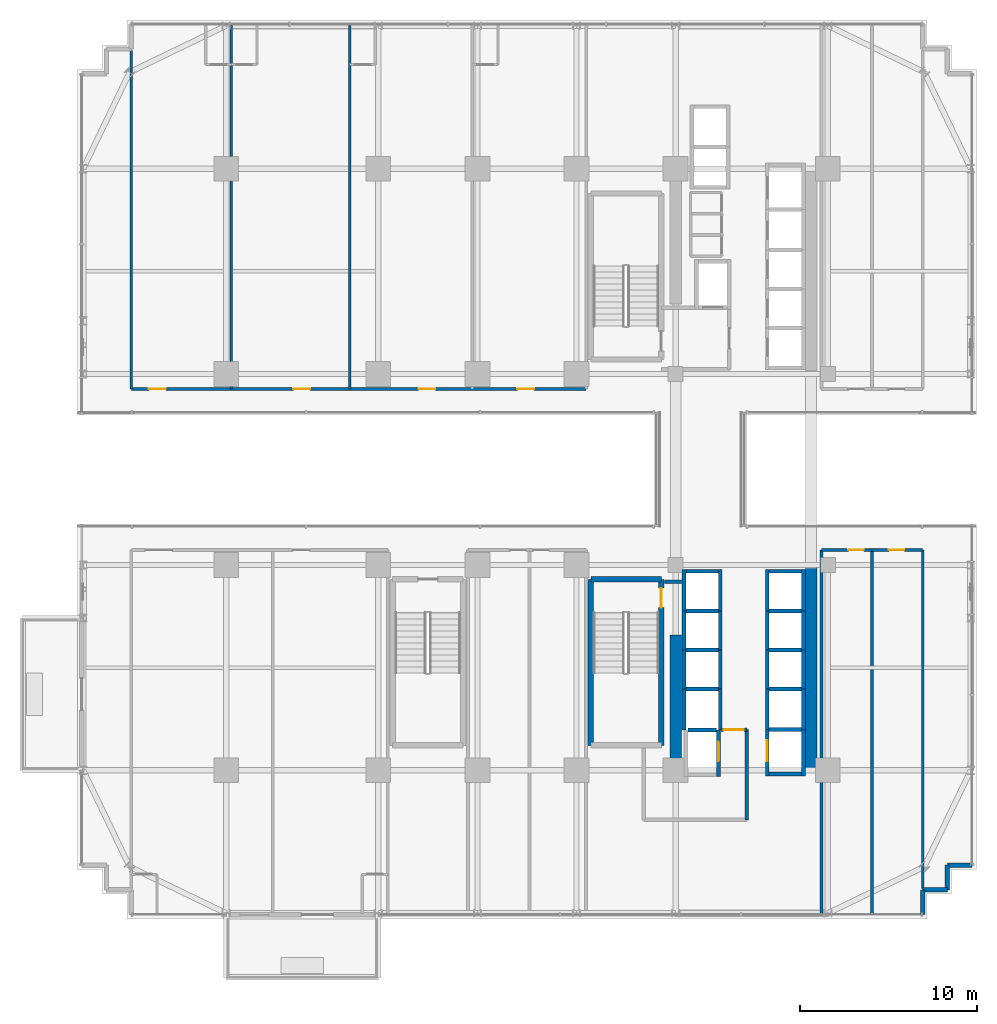
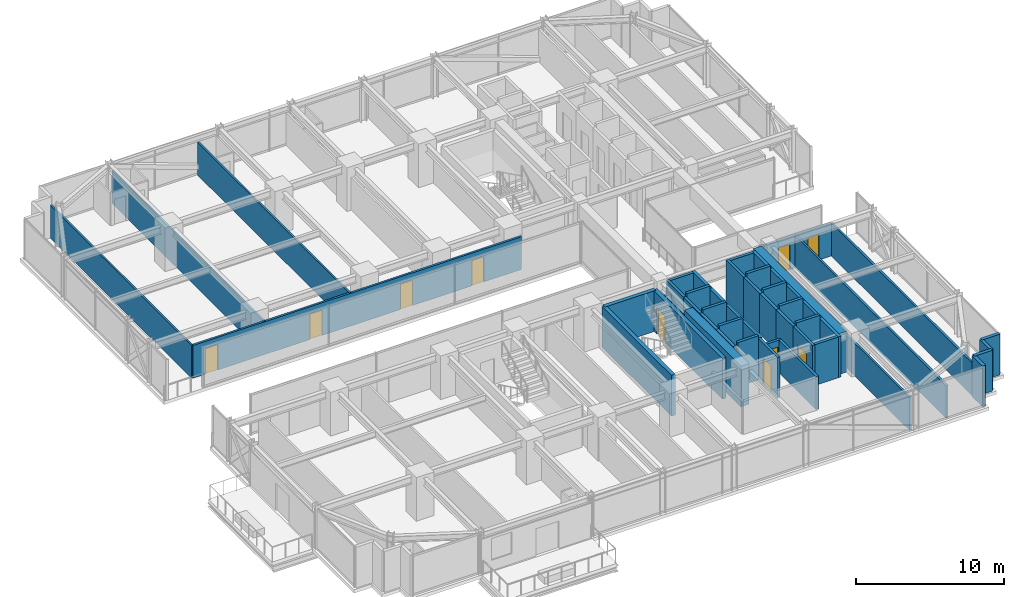
# One storey, part 32 of 37: 51 walls, 10 doors, 10 openings.
"""IFC4 building model written with IfcOpenShell, lengths in metres."""

import ifcopenshell
import ifcopenshell.guid

model = None  # the IFC model being written
_history = None  # IfcOwnerHistory: only IFC2X3 demands one
_inside = {}  # id of a spatial element -> (the spatial element, [elements in it])
_under = {}  # id of a project, library or spatial element -> (it, [spatial elements below it])
_declared = {}  # id of a project -> (the project, [libraries it declares])
_typed = {}  # id of a type object -> (the type object, [elements of that type])
_made_of = {}  # id of a material, layer set ... -> (it, [elements and type objects made of it])


def new_model(schema):
    """Start an empty IFC model of exactly this schema.

    Asked for "IFC4X3", IfcOpenShell would pick the latest addendum, in which some entities
    have other attributes; the version numbers below select the first issue.
    IFC2X3 requires an IfcOwnerHistory on every rooted entity: one is made here for all.
    """
    global model, _history
    if schema == "IFC4X3":
        model = ifcopenshell.file(schema_version=(4, 3, 0, 0))
    else:
        model = ifcopenshell.file(schema=schema)
    _inside.clear()
    _under.clear()
    _declared.clear()
    _typed.clear()
    _made_of.clear()
    _history = None
    if model.schema == "IFC2X3":
        org = make("IfcOrganization", Name="unknown")
        user = make(
            "IfcPersonAndOrganization",
            ThePerson=make("IfcPerson", FamilyName="unknown"),
            TheOrganization=org,
        )
        app = make(
            "IfcApplication",
            ApplicationDeveloper=org,
            Version="unknown",
            ApplicationFullName="unknown",
            ApplicationIdentifier="unknown",
        )
        _history = make(
            "IfcOwnerHistory",
            OwningUser=user,
            OwningApplication=app,
            ChangeAction="ADDED",
            CreationDate=0,
        )
    return model


def make(cls, **values):
    """One entity of the class cls with the attributes given. An attribute that is None is left unset."""
    return model.create_entity(
        cls, **{name: value for name, value in values.items() if value is not None}
    )


def rooted(cls, **values):
    """An entity with a GlobalId (a new one), such as an element, a storey or a relation."""
    return make(cls, GlobalId=ifcopenshell.guid.new(), OwnerHistory=_history, **values)


def si_unit(unit_type, name, prefix=None):
    """IfcSIUnit, for example si_unit("LENGTHUNIT", "METRE", prefix="MILLI")."""
    return make("IfcSIUnit", UnitType=unit_type, Prefix=prefix, Name=name)


def assignment(units):
    """IfcUnitAssignment: the units of a project."""
    return None if units is None else make("IfcUnitAssignment", Units=units)


def point(xyz):
    """IfcCartesianPoint."""
    return None if xyz is None else make("IfcCartesianPoint", Coordinates=xyz)


def direction(xyz):
    """IfcDirection."""
    return None if xyz is None else make("IfcDirection", DirectionRatios=xyz)


def frame(location, z_axis=None, x_axis=None):
    """IfcAxis2Placement3D, a coordinate frame: its origin and axes. An axis left out is left unset."""
    return make(
        "IfcAxis2Placement3D",
        Location=point(location),
        Axis=direction(z_axis),
        RefDirection=direction(x_axis),
    )


def frame_2d(location, x_axis=None):
    """IfcAxis2Placement2D, a coordinate frame in the plane: its origin and x axis."""
    return make(
        "IfcAxis2Placement2D", Location=point(location), RefDirection=direction(x_axis)
    )


def origin():
    """The frame at (0, 0, 0) with its axes left unset."""
    return frame((0.0, 0.0, 0.0))


def place(relative_to, where):
    """IfcLocalPlacement: puts the frame where relative to a parent placement (None: the world)."""
    return make(
        "IfcLocalPlacement", PlacementRelTo=relative_to, RelativePlacement=where
    )


def context(
    kind, dimensions, precision=None, world=None, true_north=None, identifier=None
):
    """IfcGeometricRepresentationContext, for example the 3D "Model" context."""
    return make(
        "IfcGeometricRepresentationContext",
        ContextIdentifier=identifier,
        ContextType=kind,
        CoordinateSpaceDimension=dimensions,
        Precision=precision,
        WorldCoordinateSystem=world,
        TrueNorth=true_north,
    )


def subcontext(parent, identifier, kind, view, scale=None):
    """IfcGeometricRepresentationSubContext, for example "Body" below "Model"."""
    return make(
        "IfcGeometricRepresentationSubContext",
        ContextIdentifier=identifier,
        ContextType=kind,
        ParentContext=parent,
        TargetScale=scale,
        TargetView=view,
    )


def project(units=None, contexts=None):
    """IfcProject with its units and contexts."""
    return rooted(
        "IfcProject",
        Name="project",
        RepresentationContexts=contexts,
        UnitsInContext=assignment(units),
    )


def spatial(cls, under=None, at=None, **own):
    """A site, building, storey or space (cls), placed at a placement, below another one or the project."""
    s = rooted(cls, ObjectPlacement=at, **own)
    if under is not None:
        _under.setdefault(under.id(), (under, []))[1].append(s)
    return s


def profile(cls, at=None, kind="AREA", **sizes):
    """A parametric profile (cls). Its sizes go by their IFC names, for example OverallWidth=200.0."""
    return make(cls, ProfileType=kind, Position=at, **sizes)


def rectangle(**sizes):
    """IfcRectangleProfileDef."""
    return profile("IfcRectangleProfileDef", **sizes)


def extrude(swept, where, along, depth):
    """IfcExtrudedAreaSolid: the profile swept, set in the frame where, extruded along a direction by depth."""
    return make(
        "IfcExtrudedAreaSolid",
        SweptArea=swept,
        Position=where,
        ExtrudedDirection=direction(along),
        Depth=depth,
    )


def shape(context_of_items, identifier, shape_type, items):
    """IfcShapeRepresentation: the items that make up one representation, for example the "Body"."""
    return make(
        "IfcShapeRepresentation",
        ContextOfItems=context_of_items,
        RepresentationIdentifier=identifier,
        RepresentationType=shape_type,
        Items=items,
    )


def source(mapping_origin, context_of_items, identifier, shape_type, items):
    """IfcRepresentationMap: a shape defined once, which mapped items show again and again."""
    return make(
        "IfcRepresentationMap",
        MappingOrigin=mapping_origin,
        MappedRepresentation=shape(context_of_items, identifier, shape_type, items),
    )


def transform(
    local_origin,
    x_axis=None,
    y_axis=None,
    z_axis=None,
    scale=None,
    scale2=None,
    scale3=None,
    uniform=True,
):
    """IfcCartesianTransformationOperator3D, or its non-uniform kind. x_axis, y_axis, z_axis: its Axis1, 2, 3."""
    if uniform:
        return make(
            "IfcCartesianTransformationOperator3D",
            Axis1=direction(x_axis),
            Axis2=direction(y_axis),
            LocalOrigin=point(local_origin),
            Scale=scale,
            Axis3=direction(z_axis),
        )
    return make(
        "IfcCartesianTransformationOperator3DnonUniform",
        Axis1=direction(x_axis),
        Axis2=direction(y_axis),
        LocalOrigin=point(local_origin),
        Scale=scale,
        Axis3=direction(z_axis),
        Scale2=scale2,
        Scale3=scale3,
    )


def mapped(mapping_source, mapping_target):
    """IfcMappedItem: shows the shape of a source again, moved by a transform."""
    return make(
        "IfcMappedItem", MappingSource=mapping_source, MappingTarget=mapping_target
    )


def material(Name=None, Category=None):
    """IfcMaterial."""
    return make("IfcMaterial", Name=Name, Category=Category)


def layer(
    of_material, thickness, ventilated=None, Name=None, Category=None, Priority=None
):
    """IfcMaterialLayer: one layer of a wall or slab, of a material (None: an air gap)."""
    return make(
        "IfcMaterialLayer",
        Material=of_material,
        LayerThickness=thickness,
        IsVentilated=ventilated,
        Name=Name,
        Category=Category,
        Priority=Priority,
    )


def layer_set(layers, Name=None):
    """IfcMaterialLayerSet."""
    return make("IfcMaterialLayerSet", MaterialLayers=layers, LayerSetName=Name)


def made_of(thing, what):
    """Note that an element or type object is made of a material, layer set ...; save() writes the relation."""
    if what is not None:
        _made_of.setdefault(what.id(), (what, []))[1].append(thing)
    return thing


def type_object(cls, material=None, **own):
    """A type object (cls), such as IfcWallType, which elements share."""
    return made_of(rooted(cls, **own), material)


def element(
    cls,
    number,
    at=None,
    inside=None,
    cuts=None,
    type_object=None,
    material=None,
    context=None,
    identifier="Body",
    shape_type=None,
    held_by="IfcProductDefinitionShape",
    body=None,
    shapes=None,
    **own,
):
    """One element of the class cls, such as IfcWall. Its Tag is "e" and its number.

    at: its placement. inside: the storey or other place that contains it. cuts: it is an
    opening in that element (IfcRelVoidsElement). A single representation is given by context,
    identifier, shape_type and body (its items); several are given by shapes. held_by: the class
    of the entity that holds the representations. save() writes the other relations.
    """
    e = rooted(cls, Tag="e%d" % number, ObjectPlacement=at, **own)
    if body is not None:
        shapes = [shape(context, identifier, shape_type, body)]
    if shapes is not None:
        e.Representation = make(held_by, Representations=shapes)
    if inside is not None:
        _inside.setdefault(inside.id(), (inside, []))[1].append(e)
    if cuts is not None:
        rooted(
            "IfcRelVoidsElement", RelatingBuildingElement=cuts, RelatedOpeningElement=e
        )
    if type_object is not None:
        _typed.setdefault(type_object.id(), (type_object, []))[1].append(e)
    return made_of(e, material)


def fill(opening, filler):
    """IfcRelFillsElement: the door or window that sits in an opening."""
    return rooted(
        "IfcRelFillsElement",
        RelatingOpeningElement=opening,
        RelatedBuildingElement=filler,
    )


def aggregate(whole, parts):
    """IfcRelAggregates: a whole, such as a stair, and the parts it consists of."""
    return rooted("IfcRelAggregates", RelatingObject=whole, RelatedObjects=parts)


def save(model, path):
    """Write the relations noted so far, then the file.

    IfcRelAggregates (storeys below a building ...), IfcRelContainedInSpatialStructure (elements
    in a storey), IfcRelDefinesByType, IfcRelAssociatesMaterial and IfcRelDeclares: one each for
    every whole, place, type object, material and project.
    """
    for whole, parts in _under.values():
        aggregate(whole, parts)
    for where, things in _inside.values():
        rooted(
            "IfcRelContainedInSpatialStructure",
            RelatedElements=things,
            RelatingStructure=where,
        )
    for kind, things in _typed.values():
        rooted("IfcRelDefinesByType", RelatedObjects=things, RelatingType=kind)
    for what, things in _made_of.values():
        rooted("IfcRelAssociatesMaterial", RelatedObjects=things, RelatingMaterial=what)
    for by, libraries in _declared.values():
        rooted("IfcRelDeclares", RelatingContext=by, RelatedDefinitions=libraries)
    model.write(path)


model = new_model("IFC4")

# Units and contexts
model_context = context("Model", 3, precision=1e-05, world=origin(), true_north=direction((0.0, 1.0)))
body_context = subcontext(model_context, "Body", "Model", "MODEL_VIEW")
ifc_project = project(units=[si_unit("LENGTHUNIT", "METRE"), si_unit("AREAUNIT", "SQUARE_METRE"), si_unit("VOLUMEUNIT", "CUBIC_METRE"), si_unit("PLANEANGLEUNIT", "RADIAN"), si_unit("MASSUNIT", "GRAM", prefix="KILO")], contexts=[model_context])

# Site, building, storey
site_placement = place(None, origin())
site = spatial("IfcSite", under=ifc_project, at=site_placement, CompositionType="ELEMENT")
building_placement = place(site_placement, origin())
building = spatial("IfcBuilding", under=site, at=building_placement, Name="Nahalor Promenade Grand Hotel", CompositionType="ELEMENT")
storey_placement = place(building_placement, frame((0.0, 0.0, 65.25)))
storey = spatial("IfcBuildingStorey", under=building, at=storey_placement, Name="L15", CompositionType="ELEMENT", Elevation=65.25)

# Walls
ifc_material_1 = material(Name="Concrete B-60 (C50/60)", Category="concrete")
ifc_layer_1 = layer(ifc_material_1, 0.64990234375)
ifc_layer_set_1 = layer_set([ifc_layer_1], Name="Concrete B-60 (C50/60)")
wall_type_1 = type_object("IfcWallType", Name="Wall-CoreShear-650", PredefinedType="SHEAR", material=ifc_layer_set_1)
shared_shape_1 = source(origin(), body_context, "Body", "SweptSolid", [
    extrude(rectangle(XDim=7.64990234375, YDim=0.64990234375, at=frame_2d((3.824951171875, 0.0))), origin(), (0.0, 0.0, 1.0), 3.3701171875),
])
wall_1_placement = place(storey_placement, frame((8.39990234375, -17.0, 0.0), z_axis=(0.0, 0.0, 1.0), x_axis=(0.0, 1.0, 0.0)))
element("IfcWall", 1, at=wall_1_placement, inside=storey, type_object=wall_type_1, Name="CWALL-L15-SW", PredefinedType="SHEAR", context=body_context, shape_type="MappedRepresentation", body=[
    mapped(shared_shape_1, transform((0.0, 0.0, 0.0), scale=1.0)),
])
shared_shape_2 = source(origin(), body_context, "Body", "SweptSolid", [
    extrude(rectangle(XDim=11.60009765625, YDim=0.64990234375, at=frame_2d((5.800048828125, 0.0))), origin(), (0.0, 0.0, 1.0), 3.3701171875),
])
wall_2_placement = place(storey_placement, frame((16.050048828125, -17.0, 0.0), z_axis=(0.0, 0.0, 1.0), x_axis=(0.0, 1.0, 0.0)))
element("IfcWall", 2, at=wall_2_placement, inside=storey, type_object=wall_type_1, Name="CWALL-L15-SE", PredefinedType="SHEAR", context=body_context, shape_type="MappedRepresentation", body=[
    mapped(shared_shape_2, transform((0.0, 0.0, 0.0), scale=1.0)),
])
ifc_material_2 = material(Name="Concrete B-50 (C40/50)", Category="concrete")
ifc_layer_2 = layer(ifc_material_2, 0.300048828125)
ifc_layer_set_2 = layer_set([ifc_layer_2], Name="Concrete B-50 (C40/50)")
wall_type_2 = type_object("IfcWallType", Name="Wall-ShaftShear-300", PredefinedType="SHEAR", material=ifc_layer_set_2)
shared_shape_3 = source(origin(), body_context, "Body", "SweptSolid", [
    extrude(rectangle(XDim=3.97998046875, YDim=0.300048828125, at=frame_2d((1.989990234375, 0.0))), origin(), (0.0, 0.0, 1.0), 3.3701171875),
])
wall_3_placement = place(storey_placement, frame((3.610107421875, -6.2099609375, 0.0), z_axis=(0.0, 0.0, 1.0), x_axis=(1.0, 0.0, 0.0)))
element("IfcWall", 3, at=wall_3_placement, inside=storey, type_object=wall_type_2, Name="L15 Exit Stair ST2 Shaft Wall N", PredefinedType="SHEAR", context=body_context, shape_type="MappedRepresentation", body=[
    mapped(shared_shape_3, transform((0.0, 0.0, 0.0), scale=1.0)),
])
shared_shape_4 = source(origin(), body_context, "Body", "SweptSolid", [
    extrude(rectangle(XDim=9.380126953125, YDim=0.300048828125, at=frame_2d((4.68994140625, 0.0))), origin(), (0.0, 0.0, 1.0), 3.3701171875),
])
wall_4_placement = place(storey_placement, frame((3.610107421875, -15.590087890625, 0.0), z_axis=(0.0, 0.0, 1.0), x_axis=(0.0, 1.0, 0.0)))
element("IfcWall", 4, at=wall_4_placement, inside=storey, type_object=wall_type_2, Name="L15 Exit Stair ST2 Shaft Wall W", PredefinedType="SHEAR", context=body_context, shape_type="MappedRepresentation", body=[
    mapped(shared_shape_4, transform((0.0, 0.0, 0.0), scale=1.0)),
])

# Wall, opening, door
wall_5_placement = place(storey_placement, frame((7.590087890625, -15.590087890625, 0.0), z_axis=(0.0, 0.0, 1.0), x_axis=(0.0, 1.0, 0.0)))
wall_5 = element("IfcWall", 5, at=wall_5_placement, inside=storey, type_object=wall_type_2, Name="L15 Exit Stair ST2 Shaft Wall E", PredefinedType="SHEAR", context=body_context, shape_type="MappedRepresentation", body=[
    mapped(shared_shape_4, transform((0.0, 0.0, 0.0), scale=1.0)),
])
opening_1_placement = place(wall_5_placement, frame((7.7900390625, 0.0, 0.0)))
opening_1 = element("IfcOpeningElement", 6, at=opening_1_placement, cuts=wall_5, Name="Opening D-ST1", PredefinedType="OPENING", context=body_context, shape_type="SweptSolid", body=[
    extrude(rectangle(XDim=1.10009765625, YDim=2.14990234375, at=frame_2d((0.550048828125, 1.074951171875))), frame((0.0, 0.159912109375, 0.0), z_axis=(0.0, -1.0, 0.0), x_axis=(1.0, 0.0, 0.0)), (0.0, 0.0, 1.0), 0.320068359375),
])
ifc_material_3 = material(Name="Steel S355JR", Category="steel")
door_type_1 = type_object("IfcDoorType", Name="Door-StairFire-1100", OperationType="NOTDEFINED", PredefinedType="DOOR", material=ifc_material_3)
shared_shape_5 = source(origin(), body_context, "Body", "SweptSolid", [
    extrude(rectangle(XDim=1.10009765625, YDim=2.14990234375, at=frame_2d((0.550048828125, 1.074951171875))), frame((0.0, 0.02490234375, 0.0), z_axis=(0.0, -1.0, 0.0), x_axis=(1.0, 0.0, 0.0)), (0.0, 0.0, 1.0), 0.050048828125),
])
door_1_placement = place(opening_1_placement, origin())
door_1 = element("IfcDoor", 7, at=door_1_placement, inside=storey, type_object=door_type_1, Name="DR-STAIR-ST2-L15", OperationType="SINGLE_SWING_RIGHT", OverallHeight=2.14990234375, OverallWidth=1.10009765625, PredefinedType="DOOR", context=body_context, shape_type="MappedRepresentation", body=[
    mapped(shared_shape_5, transform((0.0, 0.0, 0.0), scale=1.0)),
])
fill(opening_1, door_1)

# Walls
ifc_layer_3 = layer(ifc_material_2, 0.219970703125)
ifc_layer_set_3 = layer_set([ifc_layer_3], Name="Concrete B-50 (C40/50)")
wall_type_3 = type_object("IfcWallType", Name="Wall-LiftShaft-220", PredefinedType="SHEAR", material=ifc_layer_set_3)
shared_shape_6 = source(origin(), body_context, "Body", "SweptSolid", [
    extrude(rectangle(XDim=2.360107421875, YDim=0.219970703125, at=frame_2d((1.18017578125, 0.0))), origin(), (0.0, 0.0, 1.0), 3.3701171875),
])
for number, where, z_axis, x_axis, name in (
    (8, (13.580078125, -8.0, 0.0), (0.0, 0.0, 1.0), (0.0, 1.0, 0.0), "L15 Lift PL5 Hoistway Wall W"),
    (9, (15.6201171875, -8.0, 0.0), (0.0, 0.0, 1.0), (0.0, 1.0, 0.0), "L15 Lift PL5 Hoistway Wall E"),
    (10, (8.8798828125, -8.0, 0.0), (0.0, 0.0, 1.0), (0.0, 1.0, 0.0), "L15 Lift PL9 Hoistway Wall W"),
    (11, (10.919921875, -8.0, 0.0), (0.0, 0.0, 1.0), (0.0, 1.0, 0.0), "L15 Lift PL9 Hoistway Wall E"),
):
    element("IfcWall", number, at=place(storey_placement, frame(where, z_axis=z_axis, x_axis=x_axis)), inside=storey, type_object=wall_type_3, Name=name, PredefinedType="SHEAR", context=body_context, shape_type="MappedRepresentation", body=[
        mapped(shared_shape_6, transform((0.0, 0.0, 0.0), scale=1.0)),
    ])
shared_shape_7 = source(origin(), body_context, "Body", "SweptSolid", [
    extrude(rectangle(XDim=1.820068359375, YDim=0.219970703125, at=frame_2d((0.91015625, 0.0))), origin(), (0.0, 0.0, 1.0), 3.3701171875),
])
for number, where, z_axis, x_axis, name in (
    (12, (13.68994140625, -5.75, 0.0), (0.0, 0.0, 1.0), (1.0, 0.0, 0.0), "L15 Lift PL5 Hoistway Wall N"),
    (13, (8.989990234375, -5.75, 0.0), (0.0, 0.0, 1.0), (1.0, 0.0, 0.0), "L15 Lift PL9 Hoistway Wall N"),
    (14, (13.68994140625, -17.199951171875, 0.0), (0.0, 0.0, 1.0), (1.0, 0.0, 0.0), "L15 Lift SV2 Hoistway Wall S"),
):
    element("IfcWall", number, at=place(storey_placement, frame(where, z_axis=z_axis, x_axis=x_axis)), inside=storey, type_object=wall_type_3, Name=name, PredefinedType="SHEAR", context=body_context, shape_type="MappedRepresentation", body=[
        mapped(shared_shape_7, transform((0.0, 0.0, 0.0), scale=1.0)),
    ])
shared_shape_8 = source(origin(), body_context, "Body", "SweptSolid", [
    extrude(rectangle(XDim=1.820068359375, YDim=0.219970703125, at=frame_2d((0.91015625, 0.0))), origin(), (0.0, 0.0, 1.0), 3.64990234375),
])
for number, where, z_axis, x_axis, name in (
    (15, (13.68994140625, -8.0, 0.0), (0.0, 0.0, 1.0), (1.0, 0.0, 0.0), "L15 Lift PL6 Hoistway Wall N"),
    (16, (13.68994140625, -10.199951171875, 0.0), (0.0, 0.0, 1.0), (1.0, 0.0, 0.0), "L15 Lift PL7 Hoistway Wall N"),
    (17, (13.68994140625, -12.39990234375, 0.0), (0.0, 0.0, 1.0), (1.0, 0.0, 0.0), "L15 Lift PL8 Hoistway Wall N"),
    (18, (8.989990234375, -8.0, 0.0), (0.0, 0.0, 1.0), (1.0, 0.0, 0.0), "L15 Lift PL10 Hoistway Wall N"),
    (19, (8.989990234375, -10.199951171875, 0.0), (0.0, 0.0, 1.0), (1.0, 0.0, 0.0), "L15 Lift PL11 Hoistway Wall N"),
    (20, (8.989990234375, -12.39990234375, 0.0), (0.0, 0.0, 1.0), (1.0, 0.0, 0.0), "L15 Lift PL12 Hoistway Wall N"),
    (21, (13.68994140625, -14.699951171875, 0.0), (0.0, 0.0, 1.0), (1.0, 0.0, 0.0), "L15 Lift SV2 Hoistway Wall N"),
):
    element("IfcWall", number, at=place(storey_placement, frame(where, z_axis=z_axis, x_axis=x_axis)), inside=storey, type_object=wall_type_3, Name=name, PredefinedType="SHEAR", context=body_context, shape_type="MappedRepresentation", body=[
        mapped(shared_shape_8, transform((0.0, 0.0, 0.0), scale=1.0)),
    ])
shared_shape_9 = source(origin(), body_context, "Body", "SweptSolid", [
    extrude(rectangle(XDim=2.199951171875, YDim=0.219970703125, at=frame_2d((1.10009765625, 0.0))), origin(), (0.0, 0.0, 1.0), 3.3701171875),
])
for number, where, z_axis, x_axis, name in (
    (22, (13.580078125, -10.199951171875, 0.0), (0.0, 0.0, 1.0), (0.0, 1.0, 0.0), "L15 Lift PL6 Hoistway Wall W"),
    (23, (15.6201171875, -10.199951171875, 0.0), (0.0, 0.0, 1.0), (0.0, 1.0, 0.0), "L15 Lift PL6 Hoistway Wall E"),
    (24, (13.580078125, -12.39990234375, 0.0), (0.0, 0.0, 1.0), (0.0, 1.0, 0.0), "L15 Lift PL7 Hoistway Wall W"),
    (25, (15.6201171875, -12.39990234375, 0.0), (0.0, 0.0, 1.0), (0.0, 1.0, 0.0), "L15 Lift PL7 Hoistway Wall E"),
    (26, (8.8798828125, -10.199951171875, 0.0), (0.0, 0.0, 1.0), (0.0, 1.0, 0.0), "L15 Lift PL10 Hoistway Wall W"),
    (27, (10.919921875, -10.199951171875, 0.0), (0.0, 0.0, 1.0), (0.0, 1.0, 0.0), "L15 Lift PL10 Hoistway Wall E"),
    (28, (8.8798828125, -12.39990234375, 0.0), (0.0, 0.0, 1.0), (0.0, 1.0, 0.0), "L15 Lift PL11 Hoistway Wall W"),
    (29, (10.919921875, -12.39990234375, 0.0), (0.0, 0.0, 1.0), (0.0, 1.0, 0.0), "L15 Lift PL11 Hoistway Wall E"),
):
    element("IfcWall", number, at=place(storey_placement, frame(where, z_axis=z_axis, x_axis=x_axis)), inside=storey, type_object=wall_type_3, Name=name, PredefinedType="SHEAR", context=body_context, shape_type="MappedRepresentation", body=[
        mapped(shared_shape_9, transform((0.0, 0.0, 0.0), scale=1.0)),
    ])
shared_shape_10 = source(origin(), body_context, "Body", "SweptSolid", [
    extrude(rectangle(XDim=2.300048828125, YDim=0.219970703125, at=frame_2d((1.14990234375, 0.0))), origin(), (0.0, 0.0, 1.0), 3.3701171875),
])
for number, where, z_axis, x_axis, name in (
    (30, (13.580078125, -14.699951171875, 0.0), (0.0, 0.0, 1.0), (0.0, 1.0, 0.0), "L15 Lift PL8 Hoistway Wall W"),
    (31, (15.6201171875, -14.699951171875, 0.0), (0.0, 0.0, 1.0), (0.0, 1.0, 0.0), "L15 Lift PL8 Hoistway Wall E"),
):
    element("IfcWall", number, at=place(storey_placement, frame(where, z_axis=z_axis, x_axis=x_axis)), inside=storey, type_object=wall_type_3, Name=name, PredefinedType="SHEAR", context=body_context, shape_type="MappedRepresentation", body=[
        mapped(shared_shape_10, transform((0.0, 0.0, 0.0), scale=1.0)),
    ])
shared_shape_11 = source(origin(), body_context, "Body", "SweptSolid", [
    extrude(rectangle(XDim=2.3251953125, YDim=0.219970703125, at=frame_2d((1.16259765625, 0.0))), origin(), (0.0, 0.0, 1.0), 3.3701171875),
])
for number, where, z_axis, x_axis, name in (
    (32, (8.8798828125, -14.72509765625, 0.0), (0.0, 0.0, 1.0), (0.0, 1.0, 0.0), "L15 Lift PL12 Hoistway Wall W"),
    (33, (10.919921875, -14.72509765625, 0.0), (0.0, 0.0, 1.0), (0.0, 1.0, 0.0), "L15 Lift PL12 Hoistway Wall E"),
):
    element("IfcWall", number, at=place(storey_placement, frame(where, z_axis=z_axis, x_axis=x_axis)), inside=storey, type_object=wall_type_3, Name=name, PredefinedType="SHEAR", context=body_context, shape_type="MappedRepresentation", body=[
        mapped(shared_shape_11, transform((0.0, 0.0, 0.0), scale=1.0)),
    ])

# Wall, opening, door
shared_shape_12 = source(origin(), body_context, "Body", "SweptSolid", [
    extrude(rectangle(XDim=2.635009765625, YDim=0.219970703125, at=frame_2d((1.3173828125, 0.0))), origin(), (0.0, 0.0, 1.0), 3.3701171875),
])
wall_6_placement = place(storey_placement, frame((10.820068359375, -17.360107421875, 0.0), z_axis=(0.0, 0.0, 1.0), x_axis=(0.0, 1.0, 0.0)))
wall_6 = element("IfcWall", 34, at=wall_6_placement, inside=storey, type_object=wall_type_3, Name="L15 Lift FL2 Hoistway Wall E", PredefinedType="SHEAR", context=body_context, shape_type="MappedRepresentation", body=[
    mapped(shared_shape_12, transform((0.0, 0.0, 0.0), scale=1.0)),
])
opening_2_placement = place(wall_6_placement, frame((0.860107421875, 0.0, 0.0)))
opening_2 = element("IfcOpeningElement", 35, at=opening_2_placement, cuts=wall_6, Name="Opening LD-02", PredefinedType="OPENING", context=body_context, shape_type="SweptSolid", body=[
    extrude(rectangle(XDim=1.10009765625, YDim=2.199951171875, at=frame_2d((0.550048828125, 1.10009765625))), frame((0.0, 0.119873046875, 0.0), z_axis=(0.0, -1.0, 0.0), x_axis=(1.0, 0.0, 0.0)), (0.0, 0.0, 1.0), 0.239990234375),
])
door_type_2 = type_object("IfcDoorType", Name="Door-LiftFF-1100", OperationType="DOUBLE_DOOR_SLIDING", PredefinedType="DOOR", material=ifc_material_3)
shared_shape_13 = source(origin(), body_context, "Body", "SweptSolid", [
    extrude(rectangle(XDim=1.10009765625, YDim=2.199951171875, at=frame_2d((0.550048828125, 1.10009765625))), frame((0.0, 0.02490234375, 0.0), z_axis=(0.0, -1.0, 0.0), x_axis=(1.0, 0.0, 0.0)), (0.0, 0.0, 1.0), 0.050048828125),
])
door_2_placement = place(opening_2_placement, frame((1.10009765625, 0.0, 0.0), z_axis=(0.0, 0.0, 1.0), x_axis=(-1.0, 0.0, 0.0)))
door_2 = element("IfcDoor", 36, at=door_2_placement, inside=storey, type_object=door_type_2, Name="DR-LIFT-FL2-L15", OperationType="DOUBLE_DOOR_SLIDING", OverallHeight=2.199951171875, OverallWidth=1.10009765625, PredefinedType="DOOR", context=body_context, shape_type="MappedRepresentation", body=[
    mapped(shared_shape_13, transform((0.0, 0.0, 0.0), scale=1.0)),
])
fill(opening_2, door_2)

# Wall
shared_shape_14 = source(origin(), body_context, "Body", "SweptSolid", [
    extrude(rectangle(XDim=1.619873046875, YDim=0.219970703125, at=frame_2d((0.81005859375, 0.0))), origin(), (0.0, 0.0, 1.0), 3.64990234375),
])
wall_7_placement = place(storey_placement, frame((9.090087890625, -14.72509765625, 0.0), z_axis=(0.0, 0.0, 1.0), x_axis=(1.0, 0.0, 0.0)))
element("IfcWall", 37, at=wall_7_placement, inside=storey, type_object=wall_type_3, Name="L15 Lift FL2 Hoistway Wall N", PredefinedType="SHEAR", context=body_context, shape_type="MappedRepresentation", body=[
    mapped(shared_shape_14, transform((0.0, 0.0, 0.0), scale=1.0)),
])

# Wall, opening, door
shared_shape_15 = source(origin(), body_context, "Body", "SweptSolid", [
    extrude(rectangle(XDim=2.610107421875, YDim=0.219970703125, at=frame_2d((1.30517578125, 0.0))), origin(), (0.0, 0.0, 1.0), 3.3701171875),
])
wall_8_placement = place(storey_placement, frame((13.580078125, -17.31005859375, 0.0), z_axis=(0.0, 0.0, 1.0), x_axis=(0.0, 1.0, 0.0)))
wall_8 = element("IfcWall", 38, at=wall_8_placement, inside=storey, type_object=wall_type_3, Name="L15 Lift SV2 Hoistway Wall W", PredefinedType="SHEAR", context=body_context, shape_type="MappedRepresentation", body=[
    mapped(shared_shape_15, transform((0.0, 0.0, 0.0), scale=1.0)),
])
opening_3_placement = place(wall_8_placement, frame((0.81005859375, 0.0, 0.0)))
opening_3 = element("IfcOpeningElement", 39, at=opening_3_placement, cuts=wall_8, Name="Opening LD-03", PredefinedType="OPENING", context=body_context, shape_type="SweptSolid", body=[
    extrude(rectangle(XDim=1.199951171875, YDim=2.199951171875, at=frame_2d((0.60009765625, 1.10009765625))), frame((0.0, 0.119873046875, 0.0), z_axis=(0.0, -1.0, 0.0), x_axis=(1.0, 0.0, 0.0)), (0.0, 0.0, 1.0), 0.239990234375),
])
door_type_3 = type_object("IfcDoorType", Name="Door-LiftService-1200", OperationType="DOUBLE_DOOR_SLIDING", PredefinedType="DOOR", material=ifc_material_3)
shared_shape_16 = source(origin(), body_context, "Body", "SweptSolid", [
    extrude(rectangle(XDim=1.199951171875, YDim=2.199951171875, at=frame_2d((0.60009765625, 1.10009765625))), frame((0.0, 0.02490234375, 0.0), z_axis=(0.0, -1.0, 0.0), x_axis=(1.0, 0.0, 0.0)), (0.0, 0.0, 1.0), 0.050048828125),
])
door_3_placement = place(opening_3_placement, origin())
door_3 = element("IfcDoor", 40, at=door_3_placement, inside=storey, type_object=door_type_3, Name="DR-LIFT-SV2-L15", OperationType="DOUBLE_DOOR_SLIDING", OverallHeight=2.199951171875, OverallWidth=1.199951171875, PredefinedType="DOOR", context=body_context, shape_type="MappedRepresentation", body=[
    mapped(shared_shape_16, transform((0.0, 0.0, 0.0), scale=1.0)),
])
fill(opening_3, door_3)

# Walls
wall_9_placement = place(storey_placement, frame((15.6201171875, -17.31005859375, 0.0), z_axis=(0.0, 0.0, 1.0), x_axis=(0.0, 1.0, 0.0)))
element("IfcWall", 41, at=wall_9_placement, inside=storey, type_object=wall_type_3, Name="L15 Lift SV2 Hoistway Wall E", PredefinedType="SHEAR", context=body_context, shape_type="MappedRepresentation", body=[
    mapped(shared_shape_15, transform((0.0, 0.0, 0.0), scale=1.0)),
])
ifc_material_4 = material(Name="Concrete B-40 (C32/40)", Category="concrete")
ifc_layer_4 = layer(ifc_material_4, 0.25)
ifc_layer_set_4 = layer_set([ifc_layer_4], Name="Concrete B-40 (C32/40)")
wall_type_4 = type_object("IfcWallType", Name="Wall-BronzePier-250", PredefinedType="STANDARD", material=ifc_layer_set_4)
shared_shape_17 = source(origin(), body_context, "Body", "SweptSolid", [
    extrude(rectangle(XDim=1.39990234375, YDim=0.25, at=frame_2d((0.699951171875, 0.0))), origin(), (0.0, 0.0, 1.0), 3.3701171875),
])
for number, where, z_axis, x_axis, name in (
    (42, (22.360107421875, -25.159912109375, 0.0), (0.0, 0.0, 1.0), (0.0, 1.0, 0.0), "W-L15-SR-01"),
    (43, (22.360107421875, -23.760009765625, 0.0), (0.0, 0.0, 1.0), (1.0, 0.0, 0.0), "W-L15-SR-02"),
    (44, (23.760009765625, -23.760009765625, 0.0), (0.0, 0.0, 1.0), (0.0, 1.0, 0.0), "W-L15-SR-03"),
    (45, (23.760009765625, -22.360107421875, 0.0), (0.0, 0.0, 1.0), (1.0, 0.0, 0.0), "W-L15-SR-04"),
):
    element("IfcWall", number, at=place(storey_placement, frame(where, z_axis=z_axis, x_axis=x_axis)), inside=storey, type_object=wall_type_4, Name=name, PredefinedType="STANDARD", context=body_context, shape_type="MappedRepresentation", body=[
        mapped(shared_shape_17, transform((0.0, 0.0, 0.0), scale=1.0)),
    ])
ifc_layer_5 = layer(ifc_material_4, 0.199951171875)
ifc_layer_set_5 = layer_set([ifc_layer_5], Name="Concrete B-40 (C32/40)")
wall_type_5 = type_object("IfcWallType", Name="Wall-PartFire-200", PredefinedType="PARTITIONING", material=ifc_layer_set_5)
shared_shape_18 = source(origin(), body_context, "Body", "SweptSolid", [
    extrude(rectangle(XDim=5.10009765625, YDim=0.199951171875, at=frame_2d((2.550048828125, 0.0))), origin(), (0.0, 0.0, 1.0), 2.7099609375),
])
wall_10_placement = place(storey_placement, frame((12.419921875, -19.800048828125, 0.0), z_axis=(0.0, 0.0, 1.0), x_axis=(0.0, 1.0, 0.0)))
element("IfcWall", 46, at=wall_10_placement, inside=storey, type_object=wall_type_5, Name="W-L15-FF2-E", PredefinedType="PARTITIONING", context=body_context, shape_type="MappedRepresentation", body=[
    mapped(shared_shape_18, transform((0.0, 0.0, 0.0), scale=1.0)),
])

# Wall, opening, door
shared_shape_19 = source(origin(), body_context, "Body", "SweptSolid", [
    extrude(rectangle(XDim=1.4599609375, YDim=0.199951171875, at=frame_2d((0.72998046875, 0.0))), origin(), (0.0, 0.0, 1.0), 2.7099609375),
])
wall_11_placement = place(storey_placement, frame((10.9599609375, -14.699951171875, 0.0), z_axis=(0.0, 0.0, 1.0), x_axis=(1.0, 0.0, 0.0)))
wall_11 = element("IfcWall", 47, at=wall_11_placement, inside=storey, type_object=wall_type_5, Name="W-L15-FF2-N1", PredefinedType="PARTITIONING", context=body_context, shape_type="MappedRepresentation", body=[
    mapped(shared_shape_19, transform((0.0, 0.0, 0.0), scale=1.0)),
])
opening_4_placement = place(wall_11_placement, frame((0.14501953125, 0.0, 0.0)))
opening_4 = element("IfcOpeningElement", 48, at=opening_4_placement, cuts=wall_11, Name="Opening D-FF1", PredefinedType="OPENING", context=body_context, shape_type="SweptSolid", body=[
    extrude(rectangle(XDim=1.14990234375, YDim=2.14990234375, at=frame_2d((0.574951171875, 1.074951171875))), frame((0.0, 0.10986328125, 0.0), z_axis=(0.0, -1.0, 0.0), x_axis=(1.0, 0.0, 0.0)), (0.0, 0.0, 1.0), 0.219970703125),
])
door_type_4 = type_object("IfcDoorType", Name="Door-FFLobby-1150", OperationType="NOTDEFINED", PredefinedType="DOOR", material=ifc_material_3)
shared_shape_20 = source(origin(), body_context, "Body", "SweptSolid", [
    extrude(rectangle(XDim=1.14990234375, YDim=2.14990234375, at=frame_2d((0.574951171875, 1.074951171875))), frame((0.0, 0.02490234375, 0.0), z_axis=(0.0, -1.0, 0.0), x_axis=(1.0, 0.0, 0.0)), (0.0, 0.0, 1.0), 0.050048828125),
])
door_4_placement = place(opening_4_placement, origin())
door_4 = element("IfcDoor", 49, at=door_4_placement, inside=storey, type_object=door_type_4, Name="DR-L15-FFL2", OperationType="SINGLE_SWING_RIGHT", OverallHeight=2.14990234375, OverallWidth=1.14990234375, PredefinedType="DOOR", context=body_context, shape_type="MappedRepresentation", body=[
    mapped(shared_shape_20, transform((0.0, 0.0, 0.0), scale=1.0)),
])
fill(opening_4, door_4)

# Walls
shared_shape_21 = source(origin(), body_context, "Body", "SweptSolid", [
    extrude(rectangle(XDim=0.969970703125, YDim=0.199951171875, at=frame_2d((0.48486328125, 0.0))), origin(), (0.0, 0.0, 1.0), 2.7099609375),
])
wall_12_placement = place(storey_placement, frame((7.77001953125, -6.35009765625, 0.0), z_axis=(0.0, 0.0, 1.0), x_axis=(1.0, 0.0, 0.0)))
element("IfcWall", 50, at=wall_12_placement, inside=storey, type_object=wall_type_5, Name="W-L15-FF2-N2", PredefinedType="PARTITIONING", context=body_context, shape_type="MappedRepresentation", body=[
    mapped(shared_shape_21, transform((0.0, 0.0, 0.0), scale=1.0)),
])
ifc_material_5 = material(Name="Acoustic Mineral Gypsum", Category="gypsum")
ifc_layer_6 = layer(ifc_material_5, 0.159912109375)
ifc_layer_set_6 = layer_set([ifc_layer_6], Name="Acoustic Mineral Gypsum")
wall_type_6 = type_object("IfcWallType", Name="Wall-PartCorridor-160", PredefinedType="PARTITIONING", material=ifc_layer_set_6)
shared_shape_22 = source(origin(), body_context, "Body", "SweptSolid", [
    extrude(rectangle(XDim=20.550048828125, YDim=0.159912109375, at=frame_2d((10.27490234375, 0.0))), origin(), (0.0, 0.0, 1.0), 2.7099609375),
])
for number, where, z_axis, x_axis, name in (
    (51, (16.64990234375, -25.10009765625, 0.0), (0.0, 0.0, 1.0), (0.0, 1.0, 0.0), "W-L15-ESE1-W"),
    (52, (19.5048828125, -25.10009765625, 0.0), (0.0, 0.0, 1.0), (0.0, 1.0, 0.0), "W-L15-ESE1-E"),
):
    element("IfcWall", number, at=place(storey_placement, frame(where, z_axis=z_axis, x_axis=x_axis)), inside=storey, type_object=wall_type_6, Name=name, PredefinedType="PARTITIONING", context=body_context, shape_type="MappedRepresentation", body=[
        mapped(shared_shape_22, transform((0.0, 0.0, 0.0), scale=1.0)),
    ])
shared_shape_23 = source(origin(), body_context, "Body", "SweptSolid", [
    extrude(rectangle(XDim=19.1298828125, YDim=0.159912109375, at=frame_2d((9.56494140625, 0.0))), origin(), (0.0, 0.0, 1.0), 2.7099609375),
])
wall_13_placement = place(storey_placement, frame((22.360107421875, -23.679931640625, 0.0), z_axis=(0.0, 0.0, 1.0), x_axis=(0.0, 1.0, 0.0)))
element("IfcWall", 53, at=wall_13_placement, inside=storey, type_object=wall_type_6, Name="W-L15-ESE2-E", PredefinedType="PARTITIONING", context=body_context, shape_type="MappedRepresentation", body=[
    mapped(shared_shape_23, transform((0.0, 0.0, 0.0), scale=1.0)),
])

# Wall, openings, doors
shared_shape_24 = source(origin(), body_context, "Body", "SweptSolid", [
    extrude(rectangle(XDim=25.7001953125, YDim=0.159912109375, at=frame_2d((12.85009765625, 0.0))), origin(), (0.0, 0.0, 1.0), 2.7099609375),
])
wall_14_placement = place(storey_placement, frame((-22.360107421875, 4.550048828125, 0.0), z_axis=(0.0, 0.0, 1.0), x_axis=(1.0, 0.0, 0.0)))
wall_14 = element("IfcWall", 54, at=wall_14_placement, inside=storey, type_object=wall_type_6, Name="W-L15-CORR-N", PredefinedType="PARTITIONING", context=body_context, shape_type="MappedRepresentation", body=[
    mapped(shared_shape_24, transform((0.0, 0.0, 0.0), scale=1.0)),
])
opening_5_placement = place(wall_14_placement, frame((0.998046875, 0.0, 0.0)))
opening_5 = element("IfcOpeningElement", 55, at=opening_5_placement, cuts=wall_14, Name="Opening D-01", PredefinedType="OPENING", context=body_context, shape_type="SweptSolid", body=[
    extrude(rectangle(XDim=0.949951171875, YDim=2.10009765625, at=frame_2d((0.47509765625, 1.050048828125))), frame((0.0, 0.08984375, 0.0), z_axis=(0.0, -1.0, 0.0), x_axis=(1.0, 0.0, 0.0)), (0.0, 0.0, 1.0), 0.179931640625),
])
opening_6_placement = place(wall_14_placement, frame((9.162109375, 0.0, 0.0)))
opening_6 = element("IfcOpeningElement", 56, at=opening_6_placement, cuts=wall_14, Name="Opening D-01", PredefinedType="OPENING", context=body_context, shape_type="SweptSolid", body=[
    extrude(rectangle(XDim=0.949951171875, YDim=2.10009765625, at=frame_2d((0.47509765625, 1.050048828125))), frame((0.0, 0.08984375, 0.0), z_axis=(0.0, -1.0, 0.0), x_axis=(1.0, 0.0, 0.0)), (0.0, 0.0, 1.0), 0.179931640625),
])
opening_7_placement = place(wall_14_placement, frame((16.23095703125, 0.0, 0.0)))
opening_7 = element("IfcOpeningElement", 57, at=opening_7_placement, cuts=wall_14, Name="Opening D-01", PredefinedType="OPENING", context=body_context, shape_type="SweptSolid", body=[
    extrude(rectangle(XDim=0.949951171875, YDim=2.10009765625, at=frame_2d((0.47509765625, 1.050048828125))), frame((0.0, 0.08984375, 0.0), z_axis=(0.0, -1.0, 0.0), x_axis=(1.0, 0.0, 0.0)), (0.0, 0.0, 1.0), 0.179931640625),
])
opening_8_placement = place(wall_14_placement, frame((21.81005859375, 0.0, 0.0)))
opening_8 = element("IfcOpeningElement", 58, at=opening_8_placement, cuts=wall_14, Name="Opening D-01", PredefinedType="OPENING", context=body_context, shape_type="SweptSolid", body=[
    extrude(rectangle(XDim=0.949951171875, YDim=2.10009765625, at=frame_2d((0.47509765625, 1.050048828125))), frame((0.0, 0.08984375, 0.0), z_axis=(0.0, -1.0, 0.0), x_axis=(1.0, 0.0, 0.0)), (0.0, 0.0, 1.0), 0.179931640625),
])
ifc_material_6 = material(Name="Fire-Rated Timber Composite", Category="wood")
door_type_5 = type_object("IfcDoorType", Name="Door-GuestEntry-950", OperationType="NOTDEFINED", PredefinedType="DOOR", material=ifc_material_6)
shared_shape_25 = source(origin(), body_context, "Body", "SweptSolid", [
    extrude(rectangle(XDim=0.949951171875, YDim=2.10009765625, at=frame_2d((0.47509765625, 1.050048828125))), frame((0.0, 0.02490234375, 0.0), z_axis=(0.0, -1.0, 0.0), x_axis=(1.0, 0.0, 0.0)), (0.0, 0.0, 1.0), 0.050048828125),
])
door_5_placement = place(opening_5_placement, origin())
door_5 = element("IfcDoor", 59, at=door_5_placement, inside=storey, type_object=door_type_5, Name="DR-L15-N1-ENT", OperationType="SINGLE_SWING_LEFT", OverallHeight=2.10009765625, OverallWidth=0.949951171875, PredefinedType="DOOR", context=body_context, shape_type="MappedRepresentation", body=[
    mapped(shared_shape_25, transform((0.0, 0.0, 0.0), scale=1.0)),
])
fill(opening_5, door_5)
door_6_placement = place(opening_6_placement, origin())
door_6 = element("IfcDoor", 60, at=door_6_placement, inside=storey, type_object=door_type_5, Name="DR-L15-N2-ENT", OperationType="SINGLE_SWING_LEFT", OverallHeight=2.10009765625, OverallWidth=0.949951171875, PredefinedType="DOOR", context=body_context, shape_type="MappedRepresentation", body=[
    mapped(shared_shape_25, transform((0.0, 0.0, 0.0), scale=1.0)),
])
fill(opening_6, door_6)
door_7_placement = place(opening_7_placement, origin())
door_7 = element("IfcDoor", 61, at=door_7_placement, inside=storey, type_object=door_type_5, Name="DR-L15-N3-ENT", OperationType="SINGLE_SWING_LEFT", OverallHeight=2.10009765625, OverallWidth=0.949951171875, PredefinedType="DOOR", context=body_context, shape_type="MappedRepresentation", body=[
    mapped(shared_shape_25, transform((0.0, 0.0, 0.0), scale=1.0)),
])
fill(opening_7, door_7)
door_8_placement = place(opening_8_placement, origin())
door_8 = element("IfcDoor", 62, at=door_8_placement, inside=storey, type_object=door_type_5, Name="DR-L15-N4-ENT", OperationType="SINGLE_SWING_LEFT", OverallHeight=2.10009765625, OverallWidth=0.949951171875, PredefinedType="DOOR", context=body_context, shape_type="MappedRepresentation", body=[
    mapped(shared_shape_25, transform((0.0, 0.0, 0.0), scale=1.0)),
])
fill(opening_8, door_8)

# Walls
ifc_layer_7 = layer(ifc_material_5, 0.139892578125)
ifc_layer_set_7 = layer_set([ifc_layer_7], Name="Acoustic Mineral Gypsum")
wall_type_7 = type_object("IfcWallType", Name="Wall-PartSuite-140", PredefinedType="PARTITIONING", material=ifc_layer_set_7)
shared_shape_26 = source(origin(), body_context, "Body", "SweptSolid", [
    extrude(rectangle(XDim=19.1298828125, YDim=0.139892578125, at=frame_2d((9.56494140625, 0.0))), origin(), (0.0, 0.0, 1.0), 2.7099609375),
])
wall_15_placement = place(storey_placement, frame((-22.360107421875, 4.550048828125, 0.0), z_axis=(0.0, 0.0, 1.0), x_axis=(0.0, 1.0, 0.0)))
element("IfcWall", 63, at=wall_15_placement, inside=storey, type_object=wall_type_7, Name="W-L15-NW-ENDW", PredefinedType="PARTITIONING", context=body_context, shape_type="MappedRepresentation", body=[
    mapped(shared_shape_26, transform((0.0, 0.0, 0.0), scale=1.0)),
])
shared_shape_27 = source(origin(), body_context, "Body", "SweptSolid", [
    extrude(rectangle(XDim=20.550048828125, YDim=0.139892578125, at=frame_2d((10.27490234375, 0.0))), origin(), (0.0, 0.0, 1.0), 2.7099609375),
])
for number, where, z_axis, x_axis, name in (
    (64, (-16.7060546875, 4.550048828125, 0.0), (0.0, 0.0, 1.0), (0.0, 1.0, 0.0), "W-L15-NP-1"),
    (65, (-10.02392578125, 4.550048828125, 0.0), (0.0, 0.0, 1.0), (0.0, 1.0, 0.0), "W-L15-NP-2"),
):
    element("IfcWall", number, at=place(storey_placement, frame(where, z_axis=z_axis, x_axis=x_axis)), inside=storey, type_object=wall_type_7, Name=name, PredefinedType="PARTITIONING", context=body_context, shape_type="MappedRepresentation", body=[
        mapped(shared_shape_27, transform((0.0, 0.0, 0.0), scale=1.0)),
    ])

# Wall, opening, door
shared_shape_28 = source(origin(), body_context, "Body", "SweptSolid", [
    extrude(rectangle(XDim=2.85498046875, YDim=0.159912109375, at=frame_2d((1.427490234375, 0.0))), origin(), (0.0, 0.0, 1.0), 2.7099609375),
])
wall_16_placement = place(storey_placement, frame((16.64990234375, -4.550048828125, 0.0), z_axis=(0.0, 0.0, 1.0), x_axis=(1.0, 0.0, 0.0)))
wall_16 = element("IfcWall", 66, at=wall_16_placement, inside=storey, type_object=wall_type_6, Name="W-L15-ESE1-N", PredefinedType="PARTITIONING", context=body_context, shape_type="MappedRepresentation", body=[
    mapped(shared_shape_28, transform((0.0, 0.0, 0.0), scale=1.0)),
])
opening_9_placement = place(wall_16_placement, frame((1.510986328125, 0.0, 0.0)))
opening_9 = element("IfcOpeningElement", 67, at=opening_9_placement, cuts=wall_16, Name="Opening D-03", PredefinedType="OPENING", context=body_context, shape_type="SweptSolid", body=[
    extrude(rectangle(XDim=0.8798828125, YDim=2.10009765625, at=frame_2d((0.43994140625, 1.050048828125))), frame((0.0, 0.08984375, 0.0), z_axis=(0.0, -1.0, 0.0), x_axis=(1.0, 0.0, 0.0)), (0.0, 0.0, 1.0), 0.179931640625),
])
door_type_6 = type_object("IfcDoorType", Name="Door-BathSwing-880", OperationType="NOTDEFINED", PredefinedType="DOOR", material=ifc_material_6)
shared_shape_29 = source(origin(), body_context, "Body", "SweptSolid", [
    extrude(rectangle(XDim=0.8798828125, YDim=2.10009765625, at=frame_2d((0.43994140625, 1.050048828125))), frame((0.0, 0.02490234375, 0.0), z_axis=(0.0, -1.0, 0.0), x_axis=(1.0, 0.0, 0.0)), (0.0, 0.0, 1.0), 0.050048828125),
])
door_9_placement = place(opening_9_placement, frame((0.8798828125, 0.0, 0.0), z_axis=(0.0, 0.0, 1.0), x_axis=(-1.0, 0.0, 0.0)))
door_9 = element("IfcDoor", 68, at=door_9_placement, inside=storey, type_object=door_type_6, Name="DR-L15-ESE1", OperationType="SINGLE_SWING_RIGHT", OverallHeight=2.10009765625, OverallWidth=0.8798828125, PredefinedType="DOOR", context=body_context, shape_type="MappedRepresentation", body=[
    mapped(shared_shape_29, transform((0.0, 0.0, 0.0), scale=1.0)),
])
fill(opening_9, door_9)

shared_shape_30 = source(origin(), body_context, "Body", "SweptSolid", [
    extrude(rectangle(XDim=2.855224609375, YDim=0.159912109375, at=frame_2d((1.427734375, 0.0))), origin(), (0.0, 0.0, 1.0), 2.7099609375),
])
wall_17_placement = place(storey_placement, frame((19.5048828125, -4.550048828125, 0.0), z_axis=(0.0, 0.0, 1.0), x_axis=(1.0, 0.0, 0.0)))
wall_17 = element("IfcWall", 69, at=wall_17_placement, inside=storey, type_object=wall_type_6, Name="W-L15-ESE2-N", PredefinedType="PARTITIONING", context=body_context, shape_type="MappedRepresentation", body=[
    mapped(shared_shape_30, transform((0.0, 0.0, 0.0), scale=1.0)),
])
opening_10_placement = place(wall_17_placement, frame((0.93994140625, 0.0, 0.0)))
opening_10 = element("IfcOpeningElement", 70, at=opening_10_placement, cuts=wall_17, Name="Opening D-03", PredefinedType="OPENING", context=body_context, shape_type="SweptSolid", body=[
    extrude(rectangle(XDim=0.8798828125, YDim=2.10009765625, at=frame_2d((0.43994140625, 1.050048828125))), frame((0.0, 0.08984375, 0.0), z_axis=(0.0, -1.0, 0.0), x_axis=(1.0, 0.0, 0.0)), (0.0, 0.0, 1.0), 0.179931640625),
])
door_10_placement = place(opening_10_placement, frame((0.8798828125, 0.0, 0.0), z_axis=(0.0, 0.0, 1.0), x_axis=(-1.0, 0.0, 0.0)))
door_10 = element("IfcDoor", 71, at=door_10_placement, inside=storey, type_object=door_type_6, Name="DR-L15-ESE2", OperationType="SINGLE_SWING_LEFT", OverallHeight=2.10009765625, OverallWidth=0.8798828125, PredefinedType="DOOR", context=body_context, shape_type="MappedRepresentation", body=[
    mapped(shared_shape_29, transform((0.0, 0.0, 0.0), scale=1.0)),
])
fill(opening_10, door_10)

save(model, "model.ifc")
